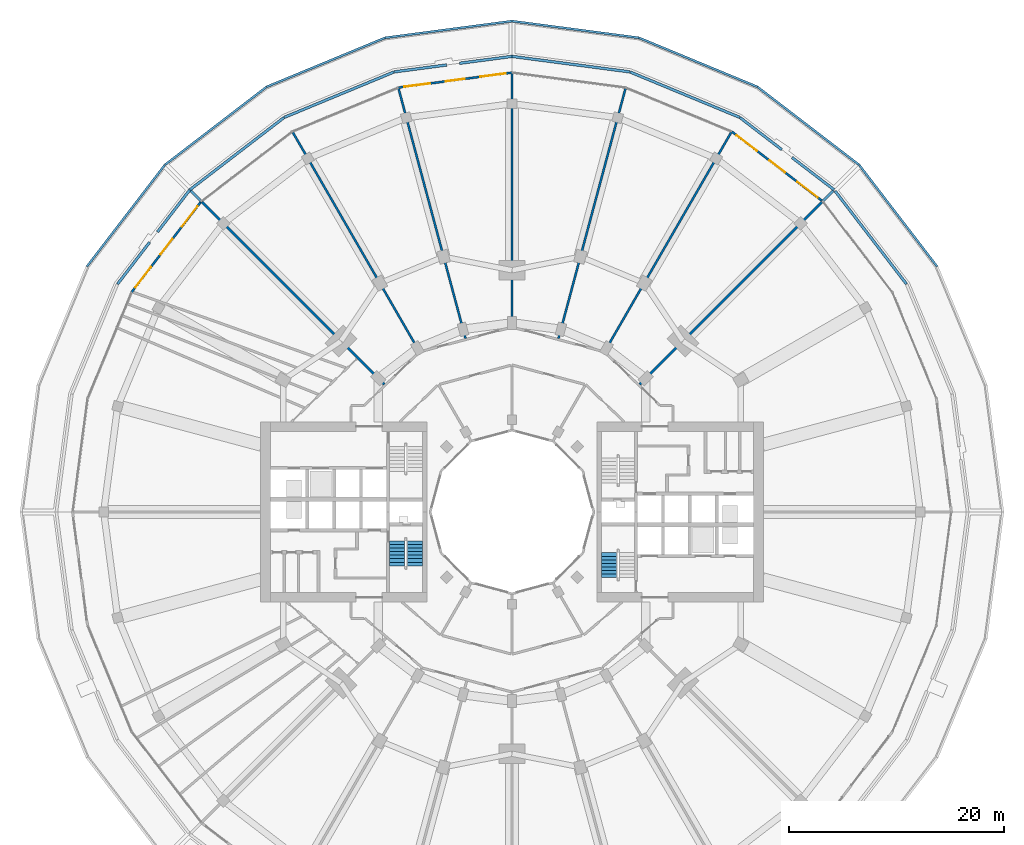
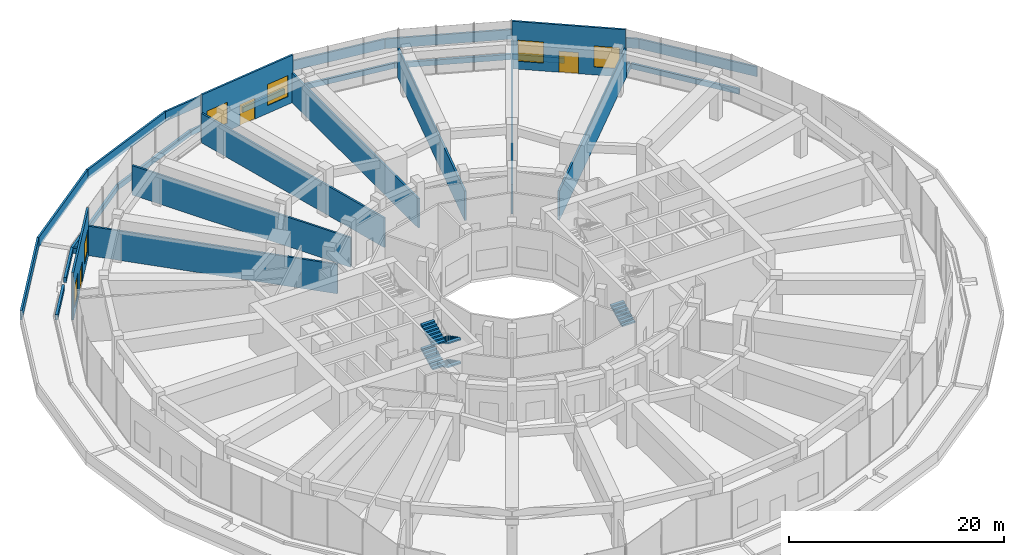
# One storey, part 27 of 30: 31 walls, 6 windows, 5 stair flights, 3 doors, 9 openings, 2 elements without a shape of their own.
"""IFC4 building model written with IfcOpenShell, lengths in metres."""

from ifc_helpers import new_model, si_unit, direction, frame, frame_2d, origin, place, context, subcontext, project, spatial, polyline, rectangle, outline, extrude, material, layer, layer_set, type_object, element, fill, aggregate, save


model = new_model("IFC4")

# Units and contexts
model_context = context("Model", 3, precision=1e-05, world=origin(), true_north=direction((0.0, 1.0)))
body_context = subcontext(model_context, "Body", "Model", "MODEL_VIEW")
ifc_project = project(units=[si_unit("LENGTHUNIT", "METRE"), si_unit("AREAUNIT", "SQUARE_METRE"), si_unit("VOLUMEUNIT", "CUBIC_METRE"), si_unit("PLANEANGLEUNIT", "RADIAN"), si_unit("MASSUNIT", "GRAM", prefix="KILO")], contexts=[model_context])

# Site, building, storey
site_placement = place(None, origin())
site = spatial("IfcSite", under=ifc_project, at=site_placement, CompositionType="ELEMENT")
building_placement = place(site_placement, origin())
building = spatial("IfcBuilding", under=site, at=building_placement, Name="Torre Brocal", CompositionType="ELEMENT")
storey_placement = place(building_placement, frame((0.0, 0.0, 7.0)))
storey = spatial("IfcBuildingStorey", under=building, at=storey_placement, Name="L01", CompositionType="ELEMENT", Elevation=7.0)

# Wall, openings, windows, door
ifc_material_1 = material(Name="Concrete C40", Category="concrete")
ifc_layer_1 = layer(ifc_material_1, 0.199951171875)
ifc_layer_set_1 = layer_set([ifc_layer_1], Name="Concrete C40")
wall_type_1 = type_object("IfcWallType", Name="EXTERNAL WALL 200", PredefinedType="NOTDEFINED", material=ifc_layer_set_1)
wall_1_placement = place(storey_placement, frame((108.920166015625, 103.920166015625, 0.0), z_axis=(0.0, 0.0, 1.0), x_axis=(-0.793366340284, 0.608744486714, 0.0)))
wall_1 = element("IfcWall", 1, at=wall_1_placement, inside=storey, type_object=wall_type_1, Name="EXTERNAL WALL", PredefinedType="NOTDEFINED", context=body_context, shape_type="SweptSolid", body=[
    extrude(rectangle(XDim=10.677001953125, YDim=0.199951171875, at=frame_2d((5.33837890625, 0.0))), origin(), (0.0, 0.0, 1.0), 5.39990234375),
])
opening_1_placement = place(wall_1_placement, frame((0.57958984375, 0.0, 0.89990234375)))
opening_1 = element("IfcOpeningElement", 2, at=opening_1_placement, cuts=wall_1, Name="Opening W6", PredefinedType="OPENING", context=body_context, shape_type="SweptSolid", body=[
    extrude(rectangle(XDim=2.39990234375, YDim=2.39990234375, at=frame_2d((1.199951171875, 1.199951171875))), frame((0.0, 0.10986328125, 0.0), z_axis=(0.0, -1.0, 0.0), x_axis=(1.0, 0.0, 0.0)), (0.0, 0.0, 1.0), 0.219970703125),
])
opening_2_placement = place(wall_1_placement, frame((4.4384765625, 0.0, 0.0)))
opening_2 = element("IfcOpeningElement", 3, at=opening_2_placement, cuts=wall_1, Name="Opening L01-E02", PredefinedType="OPENING", context=body_context, shape_type="SweptSolid", body=[
    extrude(rectangle(XDim=1.800048828125, YDim=2.39990234375, at=frame_2d((0.89990234375, 1.199951171875))), frame((0.0, 0.10986328125, 0.0), z_axis=(0.0, -1.0, 0.0), x_axis=(1.0, 0.0, 0.0)), (0.0, 0.0, 1.0), 0.219970703125),
])
opening_3_placement = place(wall_1_placement, frame((7.697265625, 0.0, 0.89990234375)))
opening_3 = element("IfcOpeningElement", 4, at=opening_3_placement, cuts=wall_1, Name="Opening W6", PredefinedType="OPENING", context=body_context, shape_type="SweptSolid", body=[
    extrude(rectangle(XDim=2.39990234375, YDim=2.39990234375, at=frame_2d((1.199951171875, 1.199951171875))), frame((0.0, 0.10986328125, 0.0), z_axis=(0.0, -1.0, 0.0), x_axis=(1.0, 0.0, 0.0)), (0.0, 0.0, 1.0), 0.219970703125),
])
ifc_material_2 = material(Name="Aluminium and glass", Category="aluminium")
window_type = type_object("IfcWindowType", Name="PODIUM WINDOW 2400X2400", PartitioningType="SINGLE_PANEL", PredefinedType="WINDOW", material=ifc_material_2)
window_1_placement = place(opening_1_placement, origin())
window_1 = element("IfcWindow", 5, at=window_1_placement, inside=storey, type_object=window_type, Name="PODIUM WINDOW 2400X2400", OverallHeight=2.39990234375, OverallWidth=2.39990234375, PartitioningType="SINGLE_PANEL", PredefinedType="WINDOW", context=body_context, shape_type="SweptSolid", body=[
    extrude(rectangle(XDim=2.39990234375, YDim=2.39990234375, at=frame_2d((1.199951171875, 1.199951171875))), frame((0.0, 0.030029296875, 0.0), z_axis=(0.0, -1.0, 0.0), x_axis=(1.0, 0.0, 0.0)), (0.0, 0.0, 1.0), 0.06005859375),
])
fill(opening_1, window_1)
window_2_placement = place(opening_3_placement, origin())
window_2 = element("IfcWindow", 6, at=window_2_placement, inside=storey, type_object=window_type, Name="PODIUM WINDOW 2400X2400", OverallHeight=2.39990234375, OverallWidth=2.39990234375, PartitioningType="SINGLE_PANEL", PredefinedType="WINDOW", context=body_context, shape_type="SweptSolid", body=[
    extrude(rectangle(XDim=2.39990234375, YDim=2.39990234375, at=frame_2d((1.199951171875, 1.199951171875))), frame((0.0, 0.030029296875, 0.0), z_axis=(0.0, -1.0, 0.0), x_axis=(1.0, 0.0, 0.0)), (0.0, 0.0, 1.0), 0.06005859375),
])
fill(opening_3, window_2)
ifc_material_3 = material(Name="Aluminium and glass", Category="aluminium")
door_type = type_object("IfcDoorType", Name="TERRACE DOUBLE DOOR 1800X2400", OperationType="DOUBLE_DOOR_SINGLE_SWING", PredefinedType="DOOR", material=ifc_material_3)
door_1_placement = place(opening_2_placement, frame((1.800048828125, 0.0, 0.0), z_axis=(0.0, 0.0, 1.0), x_axis=(-1.0, 0.0, 0.0)))
door_1 = element("IfcDoor", 7, at=door_1_placement, inside=storey, type_object=door_type, Name="DOOR L01-E02", OperationType="DOUBLE_DOOR_SINGLE_SWING", OverallHeight=2.39990234375, OverallWidth=1.800048828125, PredefinedType="DOOR", context=body_context, shape_type="SweptSolid", body=[
    extrude(rectangle(XDim=1.800048828125, YDim=2.39990234375, at=frame_2d((0.89990234375, 1.199951171875))), frame((0.0, 0.02490234375, 0.0), z_axis=(0.0, -1.0, 0.0), x_axis=(1.0, 0.0, 0.0)), (0.0, 0.0, 1.0), 0.050048828125),
])
fill(opening_2, door_1)

wall_2_placement = place(storey_placement, frame((80.0, 115.899169921875, 0.0), z_axis=(0.0, 0.0, 1.0), x_axis=(-0.991445420614, -0.130521944298, 0.0)))
wall_2 = element("IfcWall", 8, at=wall_2_placement, inside=storey, type_object=wall_type_1, Name="EXTERNAL WALL", PredefinedType="NOTDEFINED", context=body_context, shape_type="SweptSolid", body=[
    extrude(rectangle(XDim=10.6767578125, YDim=0.199951171875, at=frame_2d((5.33837890625, 0.0))), origin(), (0.0, 0.0, 1.0), 5.39990234375),
])
opening_4_placement = place(wall_2_placement, frame((0.57958984375, 0.0, 0.89990234375)))
opening_4 = element("IfcOpeningElement", 9, at=opening_4_placement, cuts=wall_2, Name="Opening W6", PredefinedType="OPENING", context=body_context, shape_type="SweptSolid", body=[
    extrude(rectangle(XDim=2.39990234375, YDim=2.39990234375, at=frame_2d((1.199951171875, 1.199951171875))), frame((0.0, 0.10986328125, 0.0), z_axis=(0.0, -1.0, 0.0), x_axis=(1.0, 0.0, 0.0)), (0.0, 0.0, 1.0), 0.219970703125),
])
opening_5_placement = place(wall_2_placement, frame((4.4384765625, 0.0, 0.0)))
opening_5 = element("IfcOpeningElement", 10, at=opening_5_placement, cuts=wall_2, Name="Opening L01-E03", PredefinedType="OPENING", context=body_context, shape_type="SweptSolid", body=[
    extrude(rectangle(XDim=1.800048828125, YDim=2.39990234375, at=frame_2d((0.89990234375, 1.199951171875))), frame((0.0, 0.10986328125, 0.0), z_axis=(0.0, -1.0, 0.0), x_axis=(1.0, 0.0, 0.0)), (0.0, 0.0, 1.0), 0.219970703125),
])
opening_6_placement = place(wall_2_placement, frame((7.697265625, 0.0, 0.89990234375)))
opening_6 = element("IfcOpeningElement", 11, at=opening_6_placement, cuts=wall_2, Name="Opening W6", PredefinedType="OPENING", context=body_context, shape_type="SweptSolid", body=[
    extrude(rectangle(XDim=2.39990234375, YDim=2.39990234375, at=frame_2d((1.199951171875, 1.199951171875))), frame((0.0, 0.10986328125, 0.0), z_axis=(0.0, -1.0, 0.0), x_axis=(1.0, 0.0, 0.0)), (0.0, 0.0, 1.0), 0.219970703125),
])
window_3_placement = place(opening_4_placement, origin())
window_3 = element("IfcWindow", 12, at=window_3_placement, inside=storey, type_object=window_type, Name="PODIUM WINDOW 2400X2400", OverallHeight=2.39990234375, OverallWidth=2.39990234375, PartitioningType="SINGLE_PANEL", PredefinedType="WINDOW", context=body_context, shape_type="SweptSolid", body=[
    extrude(rectangle(XDim=2.39990234375, YDim=2.39990234375, at=frame_2d((1.199951171875, 1.199951171875))), frame((0.0, 0.030029296875, 0.0), z_axis=(0.0, -1.0, 0.0), x_axis=(1.0, 0.0, 0.0)), (0.0, 0.0, 1.0), 0.06005859375),
])
fill(opening_4, window_3)
window_4_placement = place(opening_6_placement, origin())
window_4 = element("IfcWindow", 13, at=window_4_placement, inside=storey, type_object=window_type, Name="PODIUM WINDOW 2400X2400", OverallHeight=2.39990234375, OverallWidth=2.39990234375, PartitioningType="SINGLE_PANEL", PredefinedType="WINDOW", context=body_context, shape_type="SweptSolid", body=[
    extrude(rectangle(XDim=2.39990234375, YDim=2.39990234375, at=frame_2d((1.199951171875, 1.199951171875))), frame((0.0, 0.030029296875, 0.0), z_axis=(0.0, -1.0, 0.0), x_axis=(1.0, 0.0, 0.0)), (0.0, 0.0, 1.0), 0.06005859375),
])
fill(opening_6, window_4)
door_2_placement = place(opening_5_placement, frame((1.800048828125, 0.0, 0.0), z_axis=(0.0, 0.0, 1.0), x_axis=(-1.0, 0.0, 0.0)))
door_2 = element("IfcDoor", 14, at=door_2_placement, inside=storey, type_object=door_type, Name="DOOR L01-E03", OperationType="DOUBLE_DOOR_SINGLE_SWING", OverallHeight=2.39990234375, OverallWidth=1.800048828125, PredefinedType="DOOR", context=body_context, shape_type="SweptSolid", body=[
    extrude(rectangle(XDim=1.800048828125, YDim=2.39990234375, at=frame_2d((0.89990234375, 1.199951171875))), frame((0.0, 0.02490234375, 0.0), z_axis=(0.0, -1.0, 0.0), x_axis=(1.0, 0.0, 0.0)), (0.0, 0.0, 1.0), 0.050048828125),
])
fill(opening_5, door_2)

wall_3_placement = place(storey_placement, frame((51.079833984375, 103.920166015625, 0.0), z_axis=(0.0, 0.0, 1.0), x_axis=(-0.608744486714, -0.793366340284, 0.0)))
wall_3 = element("IfcWall", 15, at=wall_3_placement, inside=storey, type_object=wall_type_1, Name="EXTERNAL WALL", PredefinedType="NOTDEFINED", context=body_context, shape_type="SweptSolid", body=[
    extrude(rectangle(XDim=10.677001953125, YDim=0.199951171875, at=frame_2d((5.33837890625, 0.0))), origin(), (0.0, 0.0, 1.0), 5.39990234375),
])
opening_7_placement = place(wall_3_placement, frame((0.57958984375, 0.0, 0.89990234375)))
opening_7 = element("IfcOpeningElement", 16, at=opening_7_placement, cuts=wall_3, Name="Opening W6", PredefinedType="OPENING", context=body_context, shape_type="SweptSolid", body=[
    extrude(rectangle(XDim=2.39990234375, YDim=2.39990234375, at=frame_2d((1.199951171875, 1.199951171875))), frame((0.0, 0.10986328125, 0.0), z_axis=(0.0, -1.0, 0.0), x_axis=(1.0, 0.0, 0.0)), (0.0, 0.0, 1.0), 0.219970703125),
])
opening_8_placement = place(wall_3_placement, frame((4.4384765625, 0.0, 0.0)))
opening_8 = element("IfcOpeningElement", 17, at=opening_8_placement, cuts=wall_3, Name="Opening L01-E04", PredefinedType="OPENING", context=body_context, shape_type="SweptSolid", body=[
    extrude(rectangle(XDim=1.800048828125, YDim=2.39990234375, at=frame_2d((0.89990234375, 1.199951171875))), frame((0.0, 0.10986328125, 0.0), z_axis=(0.0, -1.0, 0.0), x_axis=(1.0, 0.0, 0.0)), (0.0, 0.0, 1.0), 0.219970703125),
])
opening_9_placement = place(wall_3_placement, frame((7.697265625, 0.0, 0.89990234375)))
opening_9 = element("IfcOpeningElement", 18, at=opening_9_placement, cuts=wall_3, Name="Opening W6", PredefinedType="OPENING", context=body_context, shape_type="SweptSolid", body=[
    extrude(rectangle(XDim=2.39990234375, YDim=2.39990234375, at=frame_2d((1.199951171875, 1.199951171875))), frame((0.0, 0.10986328125, 0.0), z_axis=(0.0, -1.0, 0.0), x_axis=(1.0, 0.0, 0.0)), (0.0, 0.0, 1.0), 0.219970703125),
])
window_5_placement = place(opening_7_placement, origin())
window_5 = element("IfcWindow", 19, at=window_5_placement, inside=storey, type_object=window_type, Name="PODIUM WINDOW 2400X2400", OverallHeight=2.39990234375, OverallWidth=2.39990234375, PartitioningType="SINGLE_PANEL", PredefinedType="WINDOW", context=body_context, shape_type="SweptSolid", body=[
    extrude(rectangle(XDim=2.39990234375, YDim=2.39990234375, at=frame_2d((1.199951171875, 1.199951171875))), frame((0.0, 0.030029296875, 0.0), z_axis=(0.0, -1.0, 0.0), x_axis=(1.0, 0.0, 0.0)), (0.0, 0.0, 1.0), 0.06005859375),
])
fill(opening_7, window_5)
window_6_placement = place(opening_9_placement, origin())
window_6 = element("IfcWindow", 20, at=window_6_placement, inside=storey, type_object=window_type, Name="PODIUM WINDOW 2400X2400", OverallHeight=2.39990234375, OverallWidth=2.39990234375, PartitioningType="SINGLE_PANEL", PredefinedType="WINDOW", context=body_context, shape_type="SweptSolid", body=[
    extrude(rectangle(XDim=2.39990234375, YDim=2.39990234375, at=frame_2d((1.199951171875, 1.199951171875))), frame((0.0, 0.030029296875, 0.0), z_axis=(0.0, -1.0, 0.0), x_axis=(1.0, 0.0, 0.0)), (0.0, 0.0, 1.0), 0.06005859375),
])
fill(opening_9, window_6)
door_3_placement = place(opening_8_placement, frame((1.800048828125, 0.0, 0.0), z_axis=(0.0, 0.0, 1.0), x_axis=(-1.0, 0.0, 0.0)))
door_3 = element("IfcDoor", 21, at=door_3_placement, inside=storey, type_object=door_type, Name="DOOR L01-E04", OperationType="DOUBLE_DOOR_SINGLE_SWING", OverallHeight=2.39990234375, OverallWidth=1.800048828125, PredefinedType="DOOR", context=body_context, shape_type="SweptSolid", body=[
    extrude(rectangle(XDim=1.800048828125, YDim=2.39990234375, at=frame_2d((0.89990234375, 1.199951171875))), frame((0.0, 0.02490234375, 0.0), z_axis=(0.0, -1.0, 0.0), x_axis=(1.0, 0.0, 0.0)), (0.0, 0.0, 1.0), 0.050048828125),
])
fill(opening_8, door_3)

# Walls
ifc_material_4 = material(Name="Concrete C40", Category="concrete")
ifc_layer_2 = layer(ifc_material_4, 0.199951171875)
ifc_layer_set_2 = layer_set([ifc_layer_2], Name="Concrete C40")
wall_type_2 = type_object("IfcWallType", Name="PARAPET WALL 200 THICK 1100 HIGH", PredefinedType="PARAPET", material=ifc_layer_set_2)
for number, where, z_axis, x_axis, name in (
    (22, (40.432861328125, 97.859130859375, 0.0), (0.0, 0.0, 1.0), (0.608758745152, 0.79335539968, 0.0), "PARAPET WALL 15"),
    (23, (47.697509765625, 107.321044921875, 0.0), (0.0, 0.0, 1.0), (0.79335539968, 0.608758745152, 0.0), "PARAPET WALL 16"),
):
    element("IfcWall", number, at=place(storey_placement, frame(where, z_axis=z_axis, x_axis=x_axis)), inside=storey, type_object=wall_type_2, Name=name, PredefinedType="PARAPET", context=body_context, shape_type="SweptSolid", body=[
        extrude(rectangle(XDim=11.903076171875, YDim=0.199951171875, at=frame_2d((5.95166015625, 0.0))), origin(), (0.0, 0.0, 1.0), 1.10009765625),
    ])
wall_4_placement = place(storey_placement, frame((57.16357421875, 114.580078125, 0.0), z_axis=(0.0, 0.0, 1.0), x_axis=(0.923875337263, 0.382693560434, 0.0)))
element("IfcWall", 24, at=wall_4_placement, inside=storey, type_object=wall_type_2, Name="PARAPET WALL 17", PredefinedType="PARAPET", context=body_context, shape_type="SweptSolid", body=[
    extrude(rectangle(XDim=11.90283203125, YDim=0.199951171875, at=frame_2d((5.951416015625, 0.0))), origin(), (0.0, 0.0, 1.0), 1.10009765625),
])
for number, where, z_axis, x_axis, name in (
    (25, (68.185791015625, 119.14208984375, 0.0), (0.0, 0.0, 1.0), (0.991444379426, 0.130529852925, 0.0), "PARAPET WALL 18"),
    (26, (80.012939453125, 120.69580078125, 0.0), (0.0, 0.0, 1.0), (0.991444379426, -0.130529852925, 0.0), "PARAPET WALL 19"),
):
    element("IfcWall", number, at=place(storey_placement, frame(where, z_axis=z_axis, x_axis=x_axis)), inside=storey, type_object=wall_type_2, Name=name, PredefinedType="PARAPET", context=body_context, shape_type="SweptSolid", body=[
        extrude(rectangle(XDim=11.903076171875, YDim=0.199951171875, at=frame_2d((5.95166015625, 0.0))), origin(), (0.0, 0.0, 1.0), 1.10009765625),
    ])
wall_5_placement = place(storey_placement, frame((91.839599609375, 119.13525390625, 0.0), z_axis=(0.0, 0.0, 1.0), x_axis=(0.923875337263, -0.382693560434, 0.0)))
element("IfcWall", 27, at=wall_5_placement, inside=storey, type_object=wall_type_2, Name="PARAPET WALL 20", PredefinedType="PARAPET", context=body_context, shape_type="SweptSolid", body=[
    extrude(rectangle(XDim=11.90283203125, YDim=0.199951171875, at=frame_2d((5.951416015625, 0.0))), origin(), (0.0, 0.0, 1.0), 1.10009765625),
])
for number, where, z_axis, x_axis, name in (
    (28, (102.859130859375, 114.567138671875, 0.0), (0.0, 0.0, 1.0), (0.79335539968, -0.608758745152, 0.0), "PARAPET WALL 21"),
    (29, (112.321044921875, 107.302490234375, 0.0), (0.0, 0.0, 1.0), (0.608758745152, -0.79335539968, 0.0), "PARAPET WALL 22"),
):
    element("IfcWall", number, at=place(storey_placement, frame(where, z_axis=z_axis, x_axis=x_axis)), inside=storey, type_object=wall_type_2, Name=name, PredefinedType="PARAPET", context=body_context, shape_type="SweptSolid", body=[
        extrude(rectangle(XDim=11.903076171875, YDim=0.199951171875, at=frame_2d((5.95166015625, 0.0))), origin(), (0.0, 0.0, 1.0), 1.10009765625),
    ])
ifc_material_5 = material(Name="Gypsum board", Category="Gypsum")
ifc_layer_3 = layer(ifc_material_5, 0.199951171875)
ifc_layer_set_3 = layer_set([ifc_layer_3], Name="Gypsum board")
wall_type_3 = type_object("IfcWallType", Name="PARTITION 200 EI60 UNDER BEAM 2050", PredefinedType="PARTITIONING", material=ifc_layer_set_3)
wall_6_placement = place(storey_placement, frame((51.151611328125, 103.848388671875, 0.0), z_axis=(0.0, 0.0, 1.0), x_axis=(0.707106781187, -0.707106781187, 0.0)))
element("IfcWall", 30, at=wall_6_placement, inside=storey, type_object=wall_type_3, Name="PLANT ROOM WALL", PredefinedType="PARTITIONING", context=body_context, shape_type="SweptSolid", body=[
    extrude(rectangle(XDim=23.992919921875, YDim=0.199951171875, at=frame_2d((11.99658203125, 0.0))), origin(), (0.0, 0.0, 1.0), 3.35009765625),
])
wall_7_placement = place(storey_placement, frame((59.601318359375, 110.33251953125, 0.0), z_axis=(0.0, 0.0, 1.0), x_axis=(0.499979991004, -0.866036955676, 0.0)))
element("IfcWall", 31, at=wall_7_placement, inside=storey, type_object=wall_type_3, Name="PARTY PARTITION", PredefinedType="PARTITIONING", context=body_context, shape_type="SweptSolid", body=[
    extrude(rectangle(XDim=23.49658203125, YDim=0.199951171875, at=frame_2d((11.748291015625, 0.0))), origin(), (0.0, 0.0, 1.0), 3.35009765625),
])
wall_8_placement = place(storey_placement, frame((69.44140625, 114.407470703125, 0.0), z_axis=(0.0, 0.0, 1.0), x_axis=(0.25880367254, -0.965929945224, 0.0)))
element("IfcWall", 32, at=wall_8_placement, inside=storey, type_object=wall_type_3, Name="PARTY PARTITION", PredefinedType="PARTITIONING", context=body_context, shape_type="SweptSolid", body=[
    extrude(rectangle(XDim=24.07421875, YDim=0.199951171875, at=frame_2d((12.037109375, 0.0))), origin(), (0.0, 0.0, 1.0), 3.35009765625),
])
wall_9_placement = place(storey_placement, frame((80.0, 92.300048828125, 0.0), z_axis=(0.0, 0.0, 1.0), x_axis=(0.0, 1.0, 0.0)))
element("IfcWall", 33, at=wall_9_placement, inside=storey, type_object=wall_type_3, Name="PARTY PARTITION", PredefinedType="PARTITIONING", context=body_context, shape_type="SweptSolid", body=[
    extrude(rectangle(XDim=23.498046875, YDim=0.199951171875, at=frame_2d((11.7490234375, 0.0))), origin(), (0.0, 0.0, 1.0), 3.35009765625),
])
wall_10_placement = place(storey_placement, frame((84.32861328125, 91.1533203125, 0.0), z_axis=(0.0, 0.0, 1.0), x_axis=(0.258825131653, 0.965924195382, 0.0)))
element("IfcWall", 34, at=wall_10_placement, inside=storey, type_object=wall_type_3, Name="PARTY PARTITION", PredefinedType="PARTITIONING", context=body_context, shape_type="SweptSolid", body=[
    extrude(rectangle(XDim=24.073974609375, YDim=0.199951171875, at=frame_2d((12.037109375, 0.0))), origin(), (0.0, 0.0, 1.0), 3.35009765625),
])
wall_11_placement = place(storey_placement, frame((88.601806640625, 89.896484375, 0.0), z_axis=(0.0, 0.0, 1.0), x_axis=(0.500044870432, 0.865999496279, 0.0)))
element("IfcWall", 35, at=wall_11_placement, inside=storey, type_object=wall_type_3, Name="PARTY PARTITION", PredefinedType="PARTITIONING", context=body_context, shape_type="SweptSolid", body=[
    extrude(rectangle(XDim=23.596435546875, YDim=0.199951171875, at=frame_2d((11.79833984375, 0.0))), origin(), (0.0, 0.0, 1.0), 3.35009765625),
])
wall_12_placement = place(storey_placement, frame((91.87548828125, 86.875732421875, 0.0), z_axis=(0.0, 0.0, 1.0), x_axis=(0.707111866767, 0.707101695569, 0.0)))
element("IfcWall", 36, at=wall_12_placement, inside=storey, type_object=wall_type_3, Name="PARTY PARTITION", PredefinedType="PARTITIONING", context=body_context, shape_type="SweptSolid", body=[
    extrude(rectangle(XDim=24.003173828125, YDim=0.199951171875, at=frame_2d((12.00146484375, 0.0))), origin(), (0.0, 0.0, 1.0), 3.35009765625),
])
ifc_material_6 = material(Name="Concrete C35", Category="concrete")
ifc_layer_4 = layer(ifc_material_6, 0.25)
ifc_layer_set_4 = layer_set([ifc_layer_4], Name="Concrete C35")
wall_type_4 = type_object("IfcWallType", Name="PLANTER WALL 250 THICK 600 HIGH", PredefinedType="USERDEFINED", material=ifc_layer_set_4)
wall_13_placement = place(storey_placement, frame((108.8486328125, 103.8486328125, 0.0), z_axis=(0.0, 0.0, 1.0), x_axis=(0.707106781187, 0.707106781187, 0.0)))
element("IfcWall", 37, at=wall_13_placement, inside=storey, type_object=wall_type_4, Name="PLANTER", ObjectType="PLANTER", PredefinedType="USERDEFINED", context=body_context, shape_type="SweptSolid", body=[
    extrude(rectangle(XDim=1.471435546875, YDim=0.25, at=frame_2d((0.73583984375, 0.0))), origin(), (0.0, 0.0, 1.0), 0.60009765625),
])
wall_14_placement = place(storey_placement, frame((110.07666015625, 104.876708984375, 0.0), z_axis=(0.0, 0.0, 1.0), x_axis=(0.608762138024, -0.793352796244, 0.0)))
element("IfcWall", 38, at=wall_14_placement, inside=storey, type_object=wall_type_4, Name="PLANTER", ObjectType="PLANTER", PredefinedType="USERDEFINED", context=body_context, shape_type="SweptSolid", body=[
    extrude(rectangle(XDim=10.912841796875, YDim=0.25, at=frame_2d((5.45654296875, 0.0))), origin(), (0.0, 0.0, 1.0), 0.60009765625),
])
wall_15_placement = place(storey_placement, frame((80.0, 117.412109375, 0.0), z_axis=(0.0, 0.0, 1.0), x_axis=(0.991443543519, -0.130536201932, 0.0)))
element("IfcWall", 39, at=wall_15_placement, inside=storey, type_object=wall_type_4, Name="PLANTER", ObjectType="PLANTER", PredefinedType="USERDEFINED", context=body_context, shape_type="SweptSolid", body=[
    extrude(rectangle(XDim=11.05517578125, YDim=0.25, at=frame_2d((5.527587890625, 0.0))), origin(), (0.0, 0.0, 1.0), 0.60009765625),
])
wall_16_placement = place(storey_placement, frame((90.9921875, 115.960693359375, 0.0), z_axis=(0.0, 0.0, 1.0), x_axis=(0.923882326735, -0.382676686443, 0.0)))
element("IfcWall", 40, at=wall_16_placement, inside=storey, type_object=wall_type_4, Name="PLANTER", ObjectType="PLANTER", PredefinedType="USERDEFINED", context=body_context, shape_type="SweptSolid", body=[
    extrude(rectangle(XDim=11.0390625, YDim=0.25, at=frame_2d((5.51953125, 0.0))), origin(), (0.0, 0.0, 1.0), 0.60009765625),
])
wall_17_placement = place(storey_placement, frame((101.218994140625, 111.719970703125, 0.0), z_axis=(0.0, 0.0, 1.0), x_axis=(0.793341097931, -0.608777383231, 0.0)))
element("IfcWall", 41, at=wall_17_placement, inside=storey, type_object=wall_type_4, Name="PLANTER", ObjectType="PLANTER", PredefinedType="USERDEFINED", context=body_context, shape_type="SweptSolid", body=[
    extrude(rectangle(XDim=4.91943359375, YDim=0.25, at=frame_2d((2.459716796875, 0.0))), origin(), (0.0, 0.0, 1.0), 0.60009765625),
])
wall_18_placement = place(storey_placement, frame((106.073974609375, 107.99462890625, 0.0), z_axis=(0.0, 0.0, 1.0), x_axis=(0.7933754339, -0.608732634975, 0.0)))
element("IfcWall", 42, at=wall_18_placement, inside=storey, type_object=wall_type_4, Name="PLANTER", ObjectType="PLANTER", PredefinedType="USERDEFINED", context=body_context, shape_type="SweptSolid", body=[
    extrude(rectangle(XDim=4.935791015625, YDim=0.25, at=frame_2d((2.4677734375, 0.0))), origin(), (0.0, 0.0, 1.0), 0.60009765625),
])
wall_19_placement = place(storey_placement, frame((51.1513671875, 103.8486328125, 0.0), z_axis=(0.0, 0.0, 1.0), x_axis=(-0.707106781187, 0.707106781187, 0.0)))
element("IfcWall", 43, at=wall_19_placement, inside=storey, type_object=wall_type_4, Name="PLANTER", ObjectType="PLANTER", PredefinedType="USERDEFINED", context=body_context, shape_type="SweptSolid", body=[
    extrude(rectangle(XDim=1.48876953125, YDim=0.25, at=frame_2d((0.744384765625, 0.0))), origin(), (0.0, 0.0, 1.0), 0.60009765625),
])
wall_20_placement = place(storey_placement, frame((50.0166015625, 104.994873046875, 0.0), z_axis=(0.0, 0.0, 1.0), x_axis=(0.793356238532, 0.608757651929, 0.0)))
element("IfcWall", 44, at=wall_20_placement, inside=storey, type_object=wall_type_4, Name="PLANTER", ObjectType="PLANTER", PredefinedType="USERDEFINED", context=body_context, shape_type="SweptSolid", body=[
    extrude(rectangle(XDim=11.04736328125, YDim=0.25, at=frame_2d((5.523681640625, 0.0))), origin(), (0.0, 0.0, 1.0), 0.60009765625),
])
wall_21_placement = place(storey_placement, frame((58.80908203125, 111.736328125, 0.0), z_axis=(0.0, 0.0, 1.0), x_axis=(0.923882326735, 0.382676686443, 0.0)))
element("IfcWall", 45, at=wall_21_placement, inside=storey, type_object=wall_type_4, Name="PLANTER", ObjectType="PLANTER", PredefinedType="USERDEFINED", context=body_context, shape_type="SweptSolid", body=[
    extrude(rectangle(XDim=11.0390625, YDim=0.25, at=frame_2d((5.51953125, 0.0))), origin(), (0.0, 0.0, 1.0), 0.60009765625),
])
wall_22_placement = place(storey_placement, frame((69.039306640625, 115.968994140625, 0.0), z_axis=(0.0, 0.0, 1.0), x_axis=(0.991445002311, 0.130525121694, 0.0)))
element("IfcWall", 46, at=wall_22_placement, inside=storey, type_object=wall_type_4, Name="PLANTER", ObjectType="PLANTER", PredefinedType="USERDEFINED", context=body_context, shape_type="SweptSolid", body=[
    extrude(rectangle(XDim=4.919189453125, YDim=0.25, at=frame_2d((2.45947265625, 0.0))), origin(), (0.0, 0.0, 1.0), 0.60009765625),
])
wall_23_placement = place(storey_placement, frame((75.1064453125, 116.767822265625, 0.0), z_axis=(0.0, 0.0, 1.0), x_axis=(0.991443854217, 0.130533842111, 0.0)))
element("IfcWall", 47, at=wall_23_placement, inside=storey, type_object=wall_type_4, Name="PLANTER", ObjectType="PLANTER", PredefinedType="USERDEFINED", context=body_context, shape_type="SweptSolid", body=[
    extrude(rectangle(XDim=4.935791015625, YDim=0.25, at=frame_2d((2.4677734375, 0.0))), origin(), (0.0, 0.0, 1.0), 0.60009765625),
])
wall_24_placement = place(storey_placement, frame((43.280029296875, 96.218994140625, 0.0), z_axis=(0.0, 0.0, 1.0), x_axis=(0.608777383231, 0.793341097931, 0.0)))
element("IfcWall", 48, at=wall_24_placement, inside=storey, type_object=wall_type_4, Name="PLANTER", ObjectType="PLANTER", PredefinedType="USERDEFINED", context=body_context, shape_type="SweptSolid", body=[
    extrude(rectangle(XDim=4.91943359375, YDim=0.25, at=frame_2d((2.459716796875, 0.0))), origin(), (0.0, 0.0, 1.0), 0.60009765625),
])
wall_25_placement = place(storey_placement, frame((47.00537109375, 101.073974609375, 0.0), z_axis=(0.0, 0.0, 1.0), x_axis=(0.608732634975, 0.7933754339, 0.0)))
element("IfcWall", 49, at=wall_25_placement, inside=storey, type_object=wall_type_4, Name="PLANTER", ObjectType="PLANTER", PredefinedType="USERDEFINED", context=body_context, shape_type="SweptSolid", body=[
    extrude(rectangle(XDim=4.935791015625, YDim=0.25, at=frame_2d((2.4677734375, 0.0))), origin(), (0.0, 0.0, 1.0), 0.60009765625),
])

# Stair, stair flight
ifc_material_7 = material(Name="Concrete C50", Category="concrete")
stair_type = type_object("IfcStairType", Name="EXIT STAIR", PredefinedType="HALF_TURN_STAIR", material=ifc_material_7)
stair_1_placement = place(storey_placement, origin())
stair_1 = element("IfcStair", 50, at=stair_1_placement, inside=storey, type_object=stair_type, Name="EXIT STAIR ST2", PredefinedType="HALF_TURN_STAIR")
ifc_material_8 = material(Name="Concrete C50", Category="concrete")
ifc_layer_5 = layer(ifc_material_8, 0.14990234375)
ifc_layer_set_5 = layer_set([ifc_layer_5], Name="Concrete C50")
stair_flight_type = type_object("IfcStairFlightType", Name="STAIR FLIGHT", PredefinedType="STRAIGHT", material=ifc_layer_set_5)
stair_flight_1_placement = place(storey_placement, frame((89.050048828125, 68.89990234375, 0.0), z_axis=(0.0, 0.0, 1.0), x_axis=(0.0, 1.0, 0.0)))
stair_flight_1 = element("IfcStairFlight", 51, at=stair_flight_1_placement, type_object=stair_flight_type, Name="ST2 flight 1", NumberOfRisers=8, NumberOfTreads=7, PredefinedType="STRAIGHT", RiserHeight=0.16875, TreadLength=0.33, context=body_context, shape_type="SweptSolid", body=[
    extrude(outline(polyline([(0.0, 0.0), (0.0, 0.168701171875), (0.330078125, 0.168701171875), (0.330078125, 0.33740234375), (0.659912109375, 0.33740234375), (0.659912109375, 0.50634765625), (0.989990234375, 0.50634765625), (0.989990234375, 0.675048828125), (1.320068359375, 0.675048828125), (1.320068359375, 0.84375), (1.64990234375, 0.84375), (1.64990234375, 1.012451171875), (1.97998046875, 1.012451171875), (1.97998046875, 1.18115234375), (2.31005859375, 1.18115234375), (2.31005859375, 1.35009765625), (2.31005859375, 1.012939453125), (0.329345703125, 0.0), (0.0, 0.0)])), frame((0.0, 0.699951171875, 0.0), z_axis=(0.0, -1.0, 0.0), x_axis=(1.0, 0.0, 0.0)), (0.0, 0.0, 1.0), 1.39990234375),
])
aggregate(stair_1, [stair_flight_1])

# Stair, stair flights
stair_2_placement = place(storey_placement, origin())
stair_2 = element("IfcStair", 52, at=stair_2_placement, inside=storey, type_object=stair_type, Name="EXIT STAIR ST3", PredefinedType="HALF_TURN_STAIR")
stair_flight_2_placement = place(storey_placement, frame((70.949951171875, 72.300048828125, 0.0), z_axis=(0.0, 0.0, 1.0), x_axis=(0.0, -1.0, 0.0)))
stair_flight_2 = element("IfcStairFlight", 53, at=stair_flight_2_placement, type_object=stair_flight_type, Name="ST3 flight 1", NumberOfRisers=8, NumberOfTreads=7, PredefinedType="STRAIGHT", RiserHeight=0.16875, TreadLength=0.33, context=body_context, shape_type="SweptSolid", body=[
    extrude(outline(polyline([(0.0, 0.0), (0.0, 0.168701171875), (0.330078125, 0.168701171875), (0.330078125, 0.33740234375), (0.659912109375, 0.33740234375), (0.659912109375, 0.50634765625), (0.989990234375, 0.50634765625), (0.989990234375, 0.675048828125), (1.320068359375, 0.675048828125), (1.320068359375, 0.84375), (1.64990234375, 0.84375), (1.64990234375, 1.012451171875), (1.97998046875, 1.012451171875), (1.97998046875, 1.18115234375), (2.31005859375, 1.18115234375), (2.31005859375, 1.35009765625), (2.31005859375, 1.012939453125), (0.329345703125, 0.0), (0.0, 0.0)])), frame((0.0, 0.699951171875, 0.0), z_axis=(0.0, -1.0, 0.0), x_axis=(1.0, 0.0, 0.0)), (0.0, 0.0, 1.0), 1.39990234375),
])
stair_flight_3_placement = place(storey_placement, frame((69.300048828125, 69.989990234375, 1.35009765625), z_axis=(0.0, 0.0, 1.0), x_axis=(0.0, 1.0, 0.0)))
stair_flight_3 = element("IfcStairFlight", 54, at=stair_flight_3_placement, type_object=stair_flight_type, Name="ST3 flight 2", NumberOfRisers=8, NumberOfTreads=7, PredefinedType="STRAIGHT", RiserHeight=0.16875, TreadLength=0.33, context=body_context, shape_type="SweptSolid", body=[
    extrude(outline(polyline([(0.0, 0.0), (0.0, 0.168701171875), (0.330078125, 0.168701171875), (0.330078125, 0.33740234375), (0.659912109375, 0.33740234375), (0.659912109375, 0.50634765625), (0.989990234375, 0.50634765625), (0.989990234375, 0.675048828125), (1.320068359375, 0.675048828125), (1.320068359375, 0.84375), (1.64990234375, 0.84375), (1.64990234375, 1.012451171875), (1.97998046875, 1.012451171875), (1.97998046875, 1.18115234375), (2.31005859375, 1.18115234375), (2.31005859375, 1.35009765625), (2.31005859375, 1.012939453125), (0.329345703125, 0.0), (0.0, 0.0)])), frame((0.0, 0.699951171875, 0.0), z_axis=(0.0, -1.0, 0.0), x_axis=(1.0, 0.0, 0.0)), (0.0, 0.0, 1.0), 1.39990234375),
])
stair_flight_4_placement = place(storey_placement, frame((70.949951171875, 72.300048828125, 2.699951171875), z_axis=(0.0, 0.0, 1.0), x_axis=(0.0, -1.0, 0.0)))
stair_flight_4 = element("IfcStairFlight", 55, at=stair_flight_4_placement, type_object=stair_flight_type, Name="ST3 flight 3", NumberOfRisers=8, NumberOfTreads=7, PredefinedType="STRAIGHT", RiserHeight=0.16875, TreadLength=0.33, context=body_context, shape_type="SweptSolid", body=[
    extrude(outline(polyline([(0.0, 0.0), (0.0, 0.168701171875), (0.330078125, 0.168701171875), (0.330078125, 0.33740234375), (0.659912109375, 0.33740234375), (0.659912109375, 0.50634765625), (0.989990234375, 0.50634765625), (0.989990234375, 0.675048828125), (1.320068359375, 0.675048828125), (1.320068359375, 0.84375), (1.64990234375, 0.84375), (1.64990234375, 1.012451171875), (1.97998046875, 1.012451171875), (1.97998046875, 1.18115234375), (2.31005859375, 1.18115234375), (2.31005859375, 1.35009765625), (2.31005859375, 1.012939453125), (0.329345703125, 0.0), (0.0, 0.0)])), frame((0.0, 0.699951171875, 0.0), z_axis=(0.0, -1.0, 0.0), x_axis=(1.0, 0.0, 0.0)), (0.0, 0.0, 1.0), 1.39990234375),
])
stair_flight_5_placement = place(storey_placement, frame((69.300048828125, 69.989990234375, 4.050048828125), z_axis=(0.0, 0.0, 1.0), x_axis=(0.0, 1.0, 0.0)))
stair_flight_5 = element("IfcStairFlight", 56, at=stair_flight_5_placement, type_object=stair_flight_type, Name="ST3 flight 4", NumberOfRisers=8, NumberOfTreads=7, PredefinedType="STRAIGHT", RiserHeight=0.16875, TreadLength=0.33, context=body_context, shape_type="SweptSolid", body=[
    extrude(outline(polyline([(0.0, 0.0), (0.0, 0.168701171875), (0.330078125, 0.168701171875), (0.330078125, 0.33740234375), (0.659912109375, 0.33740234375), (0.659912109375, 0.50634765625), (0.989990234375, 0.50634765625), (0.989990234375, 0.675048828125), (1.320068359375, 0.675048828125), (1.320068359375, 0.84375), (1.64990234375, 0.84375), (1.64990234375, 1.012451171875), (1.97998046875, 1.012451171875), (1.97998046875, 1.18115234375), (2.31005859375, 1.18115234375), (2.31005859375, 1.35009765625), (2.31005859375, 1.012939453125), (0.329345703125, 0.0), (0.0, 0.0)])), frame((0.0, 0.699951171875, 0.0), z_axis=(0.0, -1.0, 0.0), x_axis=(1.0, 0.0, 0.0)), (0.0, 0.0, 1.0), 1.39990234375),
])
aggregate(stair_2, [stair_flight_2, stair_flight_3, stair_flight_4, stair_flight_5])

save(model, "model.ifc")
